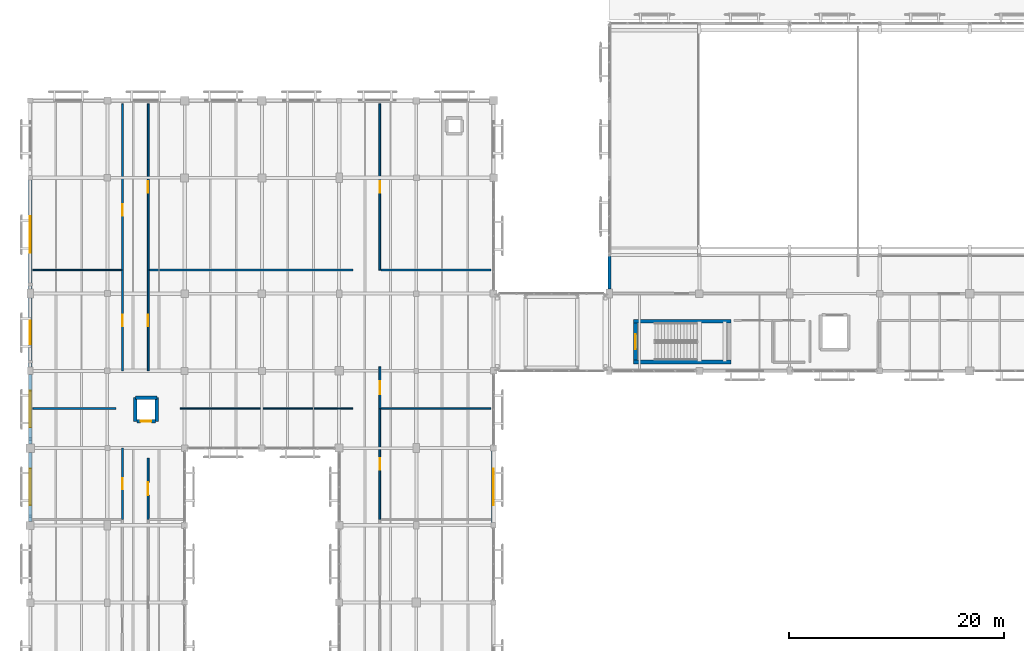
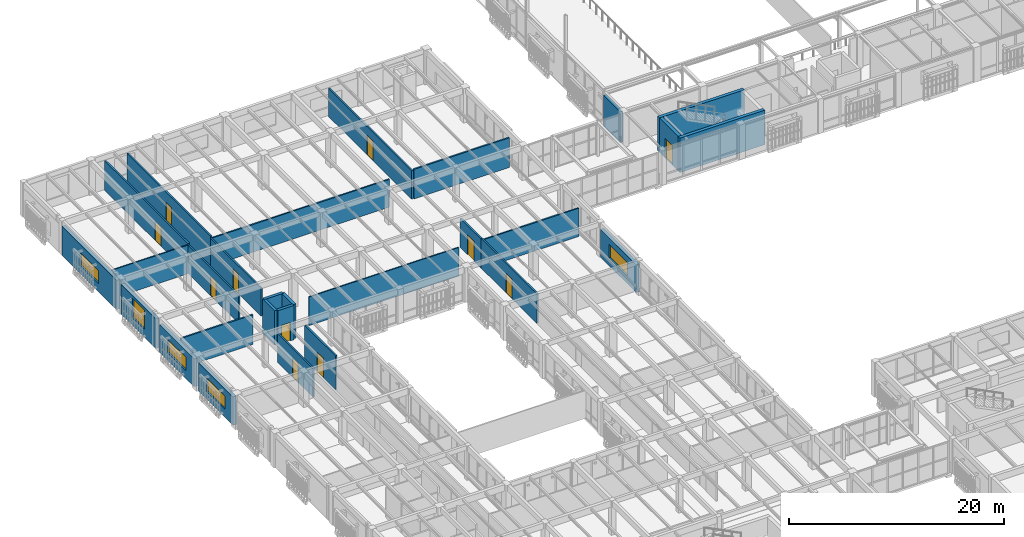
# One storey, part 133 of 170: 28 walls, 11 doors, 5 windows, 16 openings.
"""IFC4 building model written with IfcOpenShell, lengths in metres."""

from ifc_helpers import new_model, si_unit, direction, frame, frame_2d, origin, place, context, subcontext, project, spatial, rectangle, extrude, material, layer, layer_set, type_object, element, fill, save


model = new_model("IFC4")

# Units and contexts
model_context = context("Model", 3, precision=1e-05, world=origin(), true_north=direction((0.0, 1.0)))
body_context = subcontext(model_context, "Body", "Model", "MODEL_VIEW")
ifc_project = project(units=[si_unit("LENGTHUNIT", "METRE"), si_unit("AREAUNIT", "SQUARE_METRE"), si_unit("VOLUMEUNIT", "CUBIC_METRE"), si_unit("PLANEANGLEUNIT", "RADIAN"), si_unit("MASSUNIT", "GRAM", prefix="KILO")], contexts=[model_context])

# Site, building, storey
site_placement = place(None, origin())
site = spatial("IfcSite", under=ifc_project, at=site_placement, CompositionType="ELEMENT")
building_placement = place(site_placement, origin())
building = spatial("IfcBuilding", under=site, at=building_placement, Name="Mazaris Harbour Polytechnic", CompositionType="ELEMENT")
storey_placement = place(building_placement, frame((0.0, 0.0, 5.39990234375)))
storey = spatial("IfcBuildingStorey", under=building, at=storey_placement, Name="L01", CompositionType="ELEMENT", Elevation=5.39990234375)

# Walls
ifc_material_1 = material(Name="Gypsum Board and Mineral Wool")
ifc_layer_1 = layer(ifc_material_1, 0.1201171875, Name="Gypsum Board and Mineral Wool")
ifc_layer_set_1 = layer_set([ifc_layer_1], Name="Gypsum Board and Mineral Wool")
wall_type_1 = type_object("IfcWallType", Name="Acoustic Stud Partition 120", PredefinedType="PARTITIONING", material=ifc_layer_set_1)
wall_1_placement = place(storey_placement, frame((0.25, 85.0, 0.0), z_axis=(0.0, 0.0, 1.0), x_axis=(1.0, 0.0, 0.0)))
element("IfcWall", 1, at=wall_1_placement, inside=storey, type_object=wall_type_1, Name="V4 L01 Partition 342", PredefinedType="PARTITIONING", context=body_context, shape_type="SweptSolid", body=[
    extrude(rectangle(XDim=8.22998046875, YDim=0.1201171875, at=frame_2d((4.114990234375, 0.0))), origin(), (0.0, 0.0, 1.0), 3.25),
])
wall_2_placement = place(storey_placement, frame((14.0048828125, 72.0830078125, 0.0), z_axis=(0.0, 0.0, 1.0), x_axis=(1.0, 0.0, 0.0)))
element("IfcWall", 2, at=wall_2_placement, inside=storey, type_object=wall_type_1, Name="V4 L01 Partition 354", PredefinedType="PARTITIONING", context=body_context, shape_type="SweptSolid", body=[
    extrude(rectangle(XDim=16.0751953125, YDim=0.1201171875, at=frame_2d((8.03759765625, 0.0))), origin(), (0.0, 0.0, 1.0), 3.25),
])
ifc_material_2 = material(Name="Double Gypsum and Mineral Wool")
ifc_layer_2 = layer(ifc_material_2, 0.14990234375, Name="Double Gypsum and Mineral Wool")
ifc_layer_set_2 = layer_set([ifc_layer_2], Name="Double Gypsum and Mineral Wool")
wall_type_2 = type_object("IfcWallType", Name="Classroom Acoustic Partition 150", PredefinedType="PARTITIONING", material=ifc_layer_set_2)
wall_3_placement = place(storey_placement, frame((11.1201171875, 85.0, 0.0), z_axis=(0.0, 0.0, 1.0), x_axis=(1.0, 0.0, 0.0)))
element("IfcWall", 3, at=wall_3_placement, inside=storey, type_object=wall_type_2, Name="V4 L01 Partition 355", PredefinedType="PARTITIONING", context=body_context, shape_type="SweptSolid", body=[
    extrude(rectangle(XDim=18.9599609375, YDim=0.14990234375, at=frame_2d((9.47998046875, 0.0))), origin(), (0.0, 0.0, 1.0), 3.150146484375),
])
wall_4_placement = place(storey_placement, frame((32.719970703125, 72.0830078125, 0.0), z_axis=(0.0, 0.0, 1.0), x_axis=(1.0, 0.0, 0.0)))
element("IfcWall", 4, at=wall_4_placement, inside=storey, type_object=wall_type_2, Name="V4 L01 Partition 365", PredefinedType="PARTITIONING", context=body_context, shape_type="SweptSolid", body=[
    extrude(rectangle(XDim=10.22998046875, YDim=0.14990234375, at=frame_2d((5.114990234375, 0.0))), origin(), (0.0, 0.0, 1.0), 3.210205078125),
])

# Wall, opening, door
ifc_material_3 = material(Name="Terracotta Block and Plaster", Category="masonry")
ifc_layer_3 = layer(ifc_material_3, 0.179931640625, Name="Terracotta Block and Plaster")
ifc_layer_set_3 = layer_set([ifc_layer_3], Name="Terracotta Block and Plaster")
wall_type_3 = type_object("IfcWallType", Name="Corridor Fire Partition 180", PredefinedType="PARTITIONING", material=ifc_layer_set_3)
wall_5_placement = place(storey_placement, frame((11.0, 61.7548828125, 0.0), z_axis=(0.0, 0.0, 1.0), x_axis=(0.0, 1.0, 0.0)))
wall_5 = element("IfcWall", 5, at=wall_5_placement, inside=storey, type_object=wall_type_3, Name="V4 L01 Partition 352", PredefinedType="PARTITIONING", context=body_context, shape_type="SweptSolid", body=[
    extrude(rectangle(XDim=5.705078125, YDim=0.179931640625, at=frame_2d((2.8525390625, 0.0))), origin(), (0.0, 0.0, 1.0), 3.89013671875),
])
opening_1_placement = place(wall_5_placement, frame((2.242431640625, 0.0, 0.0)))
opening_1 = element("IfcOpeningElement", 6, at=opening_1_placement, cuts=wall_5, Name="Opening ID-10L", PredefinedType="OPENING", context=body_context, shape_type="SweptSolid", body=[
    extrude(rectangle(XDim=1.219970703125, YDim=2.25, at=frame_2d((0.60986328125, 1.125))), frame((0.0, 0.099853515625, 0.0), z_axis=(0.0, -1.0, 0.0), x_axis=(1.0, 0.0, 0.0)), (0.0, 0.0, 1.0), 0.199951171875),
])
ifc_material_4 = material(Name="Glulam Timber and Glass", Category="wood")
door_type_1 = type_object("IfcDoorType", Name="Library Commons Door LH 1220x2250", OperationType="SINGLE_SWING_LEFT", PredefinedType="DOOR", material=ifc_material_4)
door_1_placement = place(opening_1_placement, origin())
door_1 = element("IfcDoor", 7, at=door_1_placement, inside=storey, type_object=door_type_1, Name="ID-0164", OperationType="SINGLE_SWING_LEFT", OverallHeight=2.25, OverallWidth=1.219970703125, PredefinedType="DOOR", context=body_context, shape_type="SweptSolid", body=[
    extrude(rectangle(XDim=1.219970703125, YDim=2.25, at=frame_2d((0.60986328125, 1.125))), frame((0.0, 0.02490234375, 0.0), z_axis=(0.0, -1.0, 0.0), x_axis=(1.0, 0.0, 0.0)), (0.0, 0.0, 1.0), 0.050048828125),
])
fill(opening_1, door_1)

wall_6_placement = place(storey_placement, frame((32.60009765625, 72.087890625, 0.0), z_axis=(0.0, 0.0, 1.0), x_axis=(0.0, 1.0, 0.0)))
wall_6 = element("IfcWall", 8, at=wall_6_placement, inside=storey, type_object=wall_type_3, Name="V4 L01 Partition 366", PredefinedType="PARTITIONING", context=body_context, shape_type="SweptSolid", body=[
    extrude(rectangle(XDim=3.89208984375, YDim=0.179931640625, at=frame_2d((1.946044921875, 0.0))), origin(), (0.0, 0.0, 1.0), 3.31005859375),
])
opening_2_placement = place(wall_6_placement, frame((1.3359375, 0.0, 0.0)))
opening_2 = element("IfcOpeningElement", 9, at=opening_2_placement, cuts=wall_6, Name="Opening ID-10L", PredefinedType="OPENING", context=body_context, shape_type="SweptSolid", body=[
    extrude(rectangle(XDim=1.219970703125, YDim=2.25, at=frame_2d((0.60986328125, 1.125))), frame((0.0, 0.099853515625, 0.0), z_axis=(0.0, -1.0, 0.0), x_axis=(1.0, 0.0, 0.0)), (0.0, 0.0, 1.0), 0.199951171875),
])
door_2_placement = place(opening_2_placement, origin())
door_2 = element("IfcDoor", 10, at=door_2_placement, inside=storey, type_object=door_type_1, Name="ID-0172", OperationType="SINGLE_SWING_LEFT", OverallHeight=2.25, OverallWidth=1.219970703125, PredefinedType="DOOR", context=body_context, shape_type="SweptSolid", body=[
    extrude(rectangle(XDim=1.219970703125, YDim=2.25, at=frame_2d((0.60986328125, 1.125))), frame((0.0, 0.02490234375, 0.0), z_axis=(0.0, -1.0, 0.0), x_axis=(1.0, 0.0, 0.0)), (0.0, 0.0, 1.0), 0.050048828125),
])
fill(opening_2, door_2)

ifc_material_5 = material(Name="Fireboard and Mineral Wool")
ifc_layer_4 = layer(ifc_material_5, 0.1650390625, Name="Fireboard and Mineral Wool")
ifc_layer_set_4 = layer_set([ifc_layer_4], Name="Fireboard and Mineral Wool")
wall_type_4 = type_object("IfcWallType", Name="Laboratory Rated Partition 165", PredefinedType="PARTITIONING", material=ifc_layer_set_4)
wall_7_placement = place(storey_placement, frame((8.60009765625, 61.7548828125, 0.0), z_axis=(0.0, 0.0, 1.0), x_axis=(0.0, 1.0, 0.0)))
wall_7 = element("IfcWall", 11, at=wall_7_placement, inside=storey, type_object=wall_type_4, Name="V4 L01 Partition 339", PredefinedType="PARTITIONING", context=body_context, shape_type="SweptSolid", body=[
    extrude(rectangle(XDim=6.64013671875, YDim=0.1650390625, at=frame_2d((3.320068359375, 0.0))), origin(), (0.0, 0.0, 1.0), 3.25),
])
opening_3_placement = place(wall_7_placement, frame((2.7900390625, 0.0, 0.0)))
opening_3 = element("IfcOpeningElement", 12, at=opening_3_placement, cuts=wall_7, Name="Opening ID-02R", PredefinedType="OPENING", context=body_context, shape_type="SweptSolid", body=[
    extrude(rectangle(XDim=1.06005859375, YDim=2.199951171875, at=frame_2d((0.530029296875, 1.10009765625))), frame((0.0, 0.092529296875, 0.0), z_axis=(0.0, -1.0, 0.0), x_axis=(1.0, 0.0, 0.0)), (0.0, 0.0, 1.0), 0.18505859375),
])
ifc_material_6 = material(Name="Solid Timber and Vision Panel", Category="wood")
door_type_2 = type_object("IfcDoorType", Name="Laboratory Fire Door RH 1060x2200", OperationType="SINGLE_SWING_RIGHT", PredefinedType="DOOR", material=ifc_material_6)
door_3_placement = place(opening_3_placement, origin())
door_3 = element("IfcDoor", 13, at=door_3_placement, inside=storey, type_object=door_type_2, Name="ID-0157", OperationType="SINGLE_SWING_RIGHT", OverallHeight=2.199951171875, OverallWidth=1.06005859375, PredefinedType="DOOR", context=body_context, shape_type="SweptSolid", body=[
    extrude(rectangle(XDim=1.06005859375, YDim=2.199951171875, at=frame_2d((0.530029296875, 1.10009765625))), frame((0.0, 0.02490234375, 0.0), z_axis=(0.0, -1.0, 0.0), x_axis=(1.0, 0.0, 0.0)), (0.0, 0.0, 1.0), 0.050048828125),
])
fill(opening_3, door_3)

# Wall
wall_8_placement = place(storey_placement, frame((0.25, 72.0830078125, 0.0), z_axis=(0.0, 0.0, 1.0), x_axis=(1.0, 0.0, 0.0)))
element("IfcWall", 14, at=wall_8_placement, inside=storey, type_object=wall_type_4, Name="V4 L01 Partition 340", PredefinedType="PARTITIONING", context=body_context, shape_type="SweptSolid", body=[
    extrude(rectangle(XDim=7.7451171875, YDim=0.1650390625, at=frame_2d((3.87255859375, 0.0))), origin(), (0.0, 0.0, 1.0), 3.3701171875),
])

# Wall, opening, door
wall_9_placement = place(storey_placement, frame((8.60009765625, 75.60498046875, 0.0), z_axis=(0.0, 0.0, 1.0), x_axis=(0.0, 1.0, 0.0)))
wall_9 = element("IfcWall", 15, at=wall_9_placement, inside=storey, type_object=wall_type_4, Name="V4 L01 Partition 341", PredefinedType="PARTITIONING", context=body_context, shape_type="SweptSolid", body=[
    extrude(rectangle(XDim=9.39501953125, YDim=0.1650390625, at=frame_2d((4.697509765625, 0.0))), origin(), (0.0, 0.0, 1.0), 3.150146484375),
])
opening_4_placement = place(wall_9_placement, frame((4.172607421875, 0.0, 0.0)))
opening_4 = element("IfcOpeningElement", 16, at=opening_4_placement, cuts=wall_9, Name="Opening ID-02L", PredefinedType="OPENING", context=body_context, shape_type="SweptSolid", body=[
    extrude(rectangle(XDim=1.050048828125, YDim=2.199951171875, at=frame_2d((0.52490234375, 1.10009765625))), frame((0.0, 0.092529296875, 0.0), z_axis=(0.0, -1.0, 0.0), x_axis=(1.0, 0.0, 0.0)), (0.0, 0.0, 1.0), 0.18505859375),
])
ifc_material_7 = material(Name="Solid Timber and Vision Panel", Category="wood")
door_type_3 = type_object("IfcDoorType", Name="Laboratory Fire Door LH 1050x2200", OperationType="SINGLE_SWING_LEFT", PredefinedType="DOOR", material=ifc_material_7)
door_4_placement = place(opening_4_placement, origin())
door_4 = element("IfcDoor", 17, at=door_4_placement, inside=storey, type_object=door_type_3, Name="ID-0158", OperationType="SINGLE_SWING_LEFT", OverallHeight=2.199951171875, OverallWidth=1.050048828125, PredefinedType="DOOR", context=body_context, shape_type="SweptSolid", body=[
    extrude(rectangle(XDim=1.050048828125, YDim=2.199951171875, at=frame_2d((0.52490234375, 1.10009765625))), frame((0.0, 0.02490234375, 0.0), z_axis=(0.0, -1.0, 0.0), x_axis=(1.0, 0.0, 0.0)), (0.0, 0.0, 1.0), 0.050048828125),
])
fill(opening_4, door_4)

wall_10_placement = place(storey_placement, frame((8.60009765625, 85.0048828125, 0.0), z_axis=(0.0, 0.0, 1.0), x_axis=(0.0, 1.0, 0.0)))
wall_10 = element("IfcWall", 18, at=wall_10_placement, inside=storey, type_object=wall_type_4, Name="V4 L01 Partition 343", PredefinedType="PARTITIONING", context=body_context, shape_type="SweptSolid", body=[
    extrude(rectangle(XDim=15.4951171875, YDim=0.1650390625, at=frame_2d((7.74755859375, 0.0))), origin(), (0.0, 0.0, 1.0), 3.3701171875),
])
opening_5_placement = place(wall_10_placement, frame((5.05224609375, 0.0, 0.0)))
opening_5 = element("IfcOpeningElement", 19, at=opening_5_placement, cuts=wall_10, Name="Opening ID-02R", PredefinedType="OPENING", context=body_context, shape_type="SweptSolid", body=[
    extrude(rectangle(XDim=1.06005859375, YDim=2.199951171875, at=frame_2d((0.530029296875, 1.10009765625))), frame((0.0, 0.092529296875, 0.0), z_axis=(0.0, -1.0, 0.0), x_axis=(1.0, 0.0, 0.0)), (0.0, 0.0, 1.0), 0.18505859375),
])
door_5_placement = place(opening_5_placement, origin())
door_5 = element("IfcDoor", 20, at=door_5_placement, inside=storey, type_object=door_type_2, Name="ID-0159", OperationType="SINGLE_SWING_RIGHT", OverallHeight=2.199951171875, OverallWidth=1.06005859375, PredefinedType="DOOR", context=body_context, shape_type="SweptSolid", body=[
    extrude(rectangle(XDim=1.06005859375, YDim=2.199951171875, at=frame_2d((0.530029296875, 1.10009765625))), frame((0.0, 0.02490234375, 0.0), z_axis=(0.0, -1.0, 0.0), x_axis=(1.0, 0.0, 0.0)), (0.0, 0.0, 1.0), 0.050048828125),
])
fill(opening_5, door_5)

wall_11_placement = place(storey_placement, frame((11.0, 75.60498046875, 0.0), z_axis=(0.0, 0.0, 1.0), x_axis=(0.0, 1.0, 0.0)))
wall_11 = element("IfcWall", 21, at=wall_11_placement, inside=storey, type_object=wall_type_4, Name="V4 L01 Partition 353", PredefinedType="PARTITIONING", context=body_context, shape_type="SweptSolid", body=[
    extrude(rectangle(XDim=9.39501953125, YDim=0.1650390625, at=frame_2d((4.697509765625, 0.0))), origin(), (0.0, 0.0, 1.0), 3.150146484375),
])
opening_6_placement = place(wall_11_placement, frame((4.16748046875, 0.0, 0.0)))
opening_6 = element("IfcOpeningElement", 22, at=opening_6_placement, cuts=wall_11, Name="Opening ID-02R", PredefinedType="OPENING", context=body_context, shape_type="SweptSolid", body=[
    extrude(rectangle(XDim=1.06005859375, YDim=2.199951171875, at=frame_2d((0.530029296875, 1.10009765625))), frame((0.0, 0.092529296875, 0.0), z_axis=(0.0, -1.0, 0.0), x_axis=(1.0, 0.0, 0.0)), (0.0, 0.0, 1.0), 0.18505859375),
])
door_6_placement = place(opening_6_placement, origin())
door_6 = element("IfcDoor", 23, at=door_6_placement, inside=storey, type_object=door_type_2, Name="ID-0165", OperationType="SINGLE_SWING_RIGHT", OverallHeight=2.199951171875, OverallWidth=1.06005859375, PredefinedType="DOOR", context=body_context, shape_type="SweptSolid", body=[
    extrude(rectangle(XDim=1.06005859375, YDim=2.199951171875, at=frame_2d((0.530029296875, 1.10009765625))), frame((0.0, 0.02490234375, 0.0), z_axis=(0.0, -1.0, 0.0), x_axis=(1.0, 0.0, 0.0)), (0.0, 0.0, 1.0), 0.050048828125),
])
fill(opening_6, door_6)

wall_12_placement = place(storey_placement, frame((11.0, 85.0048828125, 0.0), z_axis=(0.0, 0.0, 1.0), x_axis=(0.0, 1.0, 0.0)))
wall_12 = element("IfcWall", 24, at=wall_12_placement, inside=storey, type_object=wall_type_4, Name="V4 L01 Partition 356", PredefinedType="PARTITIONING", context=body_context, shape_type="SweptSolid", body=[
    extrude(rectangle(XDim=15.4951171875, YDim=0.1650390625, at=frame_2d((7.74755859375, 0.0))), origin(), (0.0, 0.0, 1.0), 3.3701171875),
])
opening_7_placement = place(wall_12_placement, frame((7.222412109375, 0.0, 0.0)))
opening_7 = element("IfcOpeningElement", 25, at=opening_7_placement, cuts=wall_12, Name="Opening ID-02L", PredefinedType="OPENING", context=body_context, shape_type="SweptSolid", body=[
    extrude(rectangle(XDim=1.050048828125, YDim=2.199951171875, at=frame_2d((0.52490234375, 1.10009765625))), frame((0.0, 0.092529296875, 0.0), z_axis=(0.0, -1.0, 0.0), x_axis=(1.0, 0.0, 0.0)), (0.0, 0.0, 1.0), 0.18505859375),
])
door_7_placement = place(opening_7_placement, origin())
door_7 = element("IfcDoor", 26, at=door_7_placement, inside=storey, type_object=door_type_3, Name="ID-0166", OperationType="SINGLE_SWING_LEFT", OverallHeight=2.199951171875, OverallWidth=1.050048828125, PredefinedType="DOOR", context=body_context, shape_type="SweptSolid", body=[
    extrude(rectangle(XDim=1.050048828125, YDim=2.199951171875, at=frame_2d((0.52490234375, 1.10009765625))), frame((0.0, 0.02490234375, 0.0), z_axis=(0.0, -1.0, 0.0), x_axis=(1.0, 0.0, 0.0)), (0.0, 0.0, 1.0), 0.050048828125),
])
fill(opening_7, door_7)

wall_13_placement = place(storey_placement, frame((32.60009765625, 61.7548828125, 0.0), z_axis=(0.0, 0.0, 1.0), x_axis=(0.0, 1.0, 0.0)))
wall_13 = element("IfcWall", 27, at=wall_13_placement, inside=storey, type_object=wall_type_4, Name="V4 L01 Partition 364", PredefinedType="PARTITIONING", context=body_context, shape_type="SweptSolid", body=[
    extrude(rectangle(XDim=10.328125, YDim=0.1650390625, at=frame_2d((5.1640625, 0.0))), origin(), (0.0, 0.0, 1.0), 3.3701171875),
])
opening_8_placement = place(wall_13_placement, frame((4.634033203125, 0.0, 0.0)))
opening_8 = element("IfcOpeningElement", 28, at=opening_8_placement, cuts=wall_13, Name="Opening ID-02R", PredefinedType="OPENING", context=body_context, shape_type="SweptSolid", body=[
    extrude(rectangle(XDim=1.06005859375, YDim=2.199951171875, at=frame_2d((0.530029296875, 1.10009765625))), frame((0.0, 0.092529296875, 0.0), z_axis=(0.0, -1.0, 0.0), x_axis=(1.0, 0.0, 0.0)), (0.0, 0.0, 1.0), 0.18505859375),
])
door_8_placement = place(opening_8_placement, origin())
door_8 = element("IfcDoor", 29, at=door_8_placement, inside=storey, type_object=door_type_2, Name="ID-0171", OperationType="SINGLE_SWING_RIGHT", OverallHeight=2.199951171875, OverallWidth=1.06005859375, PredefinedType="DOOR", context=body_context, shape_type="SweptSolid", body=[
    extrude(rectangle(XDim=1.06005859375, YDim=2.199951171875, at=frame_2d((0.530029296875, 1.10009765625))), frame((0.0, 0.02490234375, 0.0), z_axis=(0.0, -1.0, 0.0), x_axis=(1.0, 0.0, 0.0)), (0.0, 0.0, 1.0), 0.050048828125),
])
fill(opening_8, door_8)

wall_14_placement = place(storey_placement, frame((32.60009765625, 85.0, 0.0), z_axis=(0.0, 0.0, 1.0), x_axis=(0.0, 1.0, 0.0)))
wall_14 = element("IfcWall", 30, at=wall_14_placement, inside=storey, type_object=wall_type_4, Name="V4 L01 Partition 367", PredefinedType="PARTITIONING", context=body_context, shape_type="SweptSolid", body=[
    extrude(rectangle(XDim=15.5, YDim=0.1650390625, at=frame_2d((7.75, 0.0))), origin(), (0.0, 0.0, 1.0), 3.210205078125),
])
opening_9_placement = place(wall_14_placement, frame((7.219970703125, 0.0, 0.0)))
opening_9 = element("IfcOpeningElement", 31, at=opening_9_placement, cuts=wall_14, Name="Opening ID-02R", PredefinedType="OPENING", context=body_context, shape_type="SweptSolid", body=[
    extrude(rectangle(XDim=1.06005859375, YDim=2.199951171875, at=frame_2d((0.530029296875, 1.10009765625))), frame((0.0, 0.092529296875, 0.0), z_axis=(0.0, -1.0, 0.0), x_axis=(1.0, 0.0, 0.0)), (0.0, 0.0, 1.0), 0.18505859375),
])
door_9_placement = place(opening_9_placement, origin())
door_9 = element("IfcDoor", 32, at=door_9_placement, inside=storey, type_object=door_type_2, Name="ID-0173", OperationType="SINGLE_SWING_RIGHT", OverallHeight=2.199951171875, OverallWidth=1.06005859375, PredefinedType="DOOR", context=body_context, shape_type="SweptSolid", body=[
    extrude(rectangle(XDim=1.06005859375, YDim=2.199951171875, at=frame_2d((0.530029296875, 1.10009765625))), frame((0.0, 0.02490234375, 0.0), z_axis=(0.0, -1.0, 0.0), x_axis=(1.0, 0.0, 0.0)), (0.0, 0.0, 1.0), 0.050048828125),
])
fill(opening_9, door_9)

# Wall
wall_15_placement = place(storey_placement, frame((32.719970703125, 85.0, 0.0), z_axis=(0.0, 0.0, 1.0), x_axis=(1.0, 0.0, 0.0)))
element("IfcWall", 33, at=wall_15_placement, inside=storey, type_object=wall_type_4, Name="V4 L01 Partition 368", PredefinedType="PARTITIONING", context=body_context, shape_type="SweptSolid", body=[
    extrude(rectangle(XDim=10.22998046875, YDim=0.1650390625, at=frame_2d((5.114990234375, 0.0))), origin(), (0.0, 0.0, 1.0), 3.3701171875),
])

# Wall, opening, window
ifc_material_8 = material(Name="Algerian Buff Limestone and Concrete C30/37", Category="masonry")
ifc_layer_5 = layer(ifc_material_8, 0.360107421875, Name="Algerian Buff Limestone and Concrete C30/37")
ifc_layer_set_5 = layer_set([ifc_layer_5], Name="Algerian Buff Limestone and Concrete C30/37")
wall_type_5 = type_object("IfcWallType", Name="Limestone Ashlar Exterior Wall 360", PredefinedType="STANDARD", material=ifc_layer_set_5)
wall_16_placement = place(storey_placement, frame((0.0, 61.56689453125, 0.0), z_axis=(0.0, 0.0, 1.0), x_axis=(0.0, 1.0, 0.0)))
wall_16 = element("IfcWall", 34, at=wall_16_placement, inside=storey, type_object=wall_type_5, Name="V4 L01 Exterior Wall 177", PredefinedType="STANDARD", context=body_context, shape_type="SweptSolid", body=[
    extrude(rectangle(XDim=6.441162109375, YDim=0.360107421875, at=frame_2d((3.220703125, 0.0))), origin(), (0.0, 0.0, 1.0), 3.210205078125),
])
opening_10_placement = place(wall_16_placement, frame((1.5205078125, 0.0, 0.89990234375)))
opening_10 = element("IfcOpeningElement", 35, at=opening_10_placement, cuts=wall_16, Name="Opening WN-16", PredefinedType="OPENING", context=body_context, shape_type="SweptSolid", body=[
    extrude(rectangle(XDim=3.39990234375, YDim=1.5, at=frame_2d((1.699951171875, 0.75))), frame((0.0, 0.18994140625, 0.0), z_axis=(0.0, -1.0, 0.0), x_axis=(1.0, 0.0, 0.0)), (0.0, 0.0, 1.0), 0.380126953125),
])
ifc_material_9 = material(Name="Thermally Broken Bronze Aluminium and Low-E Glass", Category="aluminium")
window_type_1 = type_object("IfcWindowType", Name="Workshop Clerestory Ribbon 3400x1500", PartitioningType="DOUBLE_PANEL_VERTICAL", PredefinedType="WINDOW", material=ifc_material_9)
window_1_placement = place(opening_10_placement, origin())
window_1 = element("IfcWindow", 36, at=window_1_placement, inside=storey, type_object=window_type_1, Name="WN-0179", OverallHeight=1.5, OverallWidth=3.39990234375, PartitioningType="DOUBLE_PANEL_VERTICAL", PredefinedType="WINDOW", context=body_context, shape_type="SweptSolid", body=[
    extrude(rectangle(XDim=3.39990234375, YDim=1.5, at=frame_2d((1.699951171875, 0.75))), frame((0.0, 0.030029296875, 0.0), z_axis=(0.0, -1.0, 0.0), x_axis=(1.0, 0.0, 0.0)), (0.0, 0.0, 1.0), 0.06005859375),
])
fill(opening_10, window_1)

wall_17_placement = place(storey_placement, frame((0.0, 68.7919921875, 0.0), z_axis=(0.0, 0.0, 1.0), x_axis=(0.0, 1.0, 0.0)))
wall_17 = element("IfcWall", 37, at=wall_17_placement, inside=storey, type_object=wall_type_5, Name="V4 L01 Exterior Wall 178", PredefinedType="STANDARD", context=body_context, shape_type="SweptSolid", body=[
    extrude(rectangle(XDim=6.466064453125, YDim=0.360107421875, at=frame_2d((3.23291015625, 0.0))), origin(), (0.0, 0.0, 1.0), 3.150146484375),
])
opening_11_placement = place(wall_17_placement, frame((1.532958984375, 0.0, 0.89990234375)))
opening_11 = element("IfcOpeningElement", 38, at=opening_11_placement, cuts=wall_17, Name="Opening WN-16", PredefinedType="OPENING", context=body_context, shape_type="SweptSolid", body=[
    extrude(rectangle(XDim=3.39990234375, YDim=1.5, at=frame_2d((1.699951171875, 0.75))), frame((0.0, 0.18994140625, 0.0), z_axis=(0.0, -1.0, 0.0), x_axis=(1.0, 0.0, 0.0)), (0.0, 0.0, 1.0), 0.380126953125),
])
window_2_placement = place(opening_11_placement, origin())
window_2 = element("IfcWindow", 39, at=window_2_placement, inside=storey, type_object=window_type_1, Name="WN-0180", OverallHeight=1.5, OverallWidth=3.39990234375, PartitioningType="DOUBLE_PANEL_VERTICAL", PredefinedType="WINDOW", context=body_context, shape_type="SweptSolid", body=[
    extrude(rectangle(XDim=3.39990234375, YDim=1.5, at=frame_2d((1.699951171875, 0.75))), frame((0.0, 0.030029296875, 0.0), z_axis=(0.0, -1.0, 0.0), x_axis=(1.0, 0.0, 0.0)), (0.0, 0.0, 1.0), 0.06005859375),
])
fill(opening_11, window_2)

wall_18_placement = place(storey_placement, frame((0.0, 75.94189453125, 0.0), z_axis=(0.0, 0.0, 1.0), x_axis=(0.0, 1.0, 0.0)))
wall_18 = element("IfcWall", 40, at=wall_18_placement, inside=storey, type_object=wall_type_5, Name="V4 L01 Exterior Wall 179", PredefinedType="STANDARD", context=body_context, shape_type="SweptSolid", body=[
    extrude(rectangle(XDim=6.441162109375, YDim=0.360107421875, at=frame_2d((3.220703125, 0.0))), origin(), (0.0, 0.0, 1.0), 3.3701171875),
])
opening_12_placement = place(wall_18_placement, frame((2.12060546875, 0.0, 0.89990234375)))
opening_12 = element("IfcOpeningElement", 41, at=opening_12_placement, cuts=wall_18, Name="Opening WN-06", PredefinedType="OPENING", context=body_context, shape_type="SweptSolid", body=[
    extrude(rectangle(XDim=2.199951171875, YDim=2.199951171875, at=frame_2d((1.10009765625, 1.10009765625))), frame((0.0, 0.18994140625, 0.0), z_axis=(0.0, -1.0, 0.0), x_axis=(1.0, 0.0, 0.0)), (0.0, 0.0, 1.0), 0.380126953125),
])
ifc_material_10 = material(Name="Thermally Broken Bronze Aluminium and Low-E Glass", Category="aluminium")
window_type_2 = type_object("IfcWindowType", Name="Laboratory Paired Window 2200x2200", PartitioningType="DOUBLE_PANEL_VERTICAL", PredefinedType="WINDOW", material=ifc_material_10)
window_3_placement = place(opening_12_placement, origin())
window_3 = element("IfcWindow", 42, at=window_3_placement, inside=storey, type_object=window_type_2, Name="WN-0181", OverallHeight=2.199951171875, OverallWidth=2.199951171875, PartitioningType="DOUBLE_PANEL_VERTICAL", PredefinedType="WINDOW", context=body_context, shape_type="SweptSolid", body=[
    extrude(rectangle(XDim=2.199951171875, YDim=2.199951171875, at=frame_2d((1.10009765625, 1.10009765625))), frame((0.0, 0.030029296875, 0.0), z_axis=(0.0, -1.0, 0.0), x_axis=(1.0, 0.0, 0.0)), (0.0, 0.0, 1.0), 0.06005859375),
])
fill(opening_12, window_3)

wall_19_placement = place(storey_placement, frame((0.0, 83.217041015625, 0.0), z_axis=(0.0, 0.0, 1.0), x_axis=(0.0, 1.0, 0.0)))
wall_19 = element("IfcWall", 43, at=wall_19_placement, inside=storey, type_object=wall_type_5, Name="V4 L01 Exterior Wall 180", PredefinedType="STANDARD", context=body_context, shape_type="SweptSolid", body=[
    extrude(rectangle(XDim=10.166015625, YDim=0.360107421875, at=frame_2d((5.0830078125, 0.0))), origin(), (0.0, 0.0, 1.0), 3.31005859375),
])
opening_13_placement = place(wall_19_placement, frame((3.383056640625, 0.0, 0.89990234375)))
opening_13 = element("IfcOpeningElement", 44, at=opening_13_placement, cuts=wall_19, Name="Opening WN-16", PredefinedType="OPENING", context=body_context, shape_type="SweptSolid", body=[
    extrude(rectangle(XDim=3.39990234375, YDim=1.5, at=frame_2d((1.699951171875, 0.75))), frame((0.0, 0.18994140625, 0.0), z_axis=(0.0, -1.0, 0.0), x_axis=(1.0, 0.0, 0.0)), (0.0, 0.0, 1.0), 0.380126953125),
])
window_4_placement = place(opening_13_placement, origin())
window_4 = element("IfcWindow", 45, at=window_4_placement, inside=storey, type_object=window_type_1, Name="WN-0182", OverallHeight=1.5, OverallWidth=3.39990234375, PartitioningType="DOUBLE_PANEL_VERTICAL", PredefinedType="WINDOW", context=body_context, shape_type="SweptSolid", body=[
    extrude(rectangle(XDim=3.39990234375, YDim=1.5, at=frame_2d((1.699951171875, 0.75))), frame((0.0, 0.030029296875, 0.0), z_axis=(0.0, -1.0, 0.0), x_axis=(1.0, 0.0, 0.0)), (0.0, 0.0, 1.0), 0.06005859375),
])
fill(opening_13, window_4)

wall_20_placement = place(storey_placement, frame((43.199951171875, 68.133056640625, 0.0), z_axis=(0.0, 0.0, 1.0), x_axis=(0.0, -1.0, 0.0)))
wall_20 = element("IfcWall", 46, at=wall_20_placement, inside=storey, type_object=wall_type_5, Name="V4 L01 Exterior Wall 185", PredefinedType="STANDARD", context=body_context, shape_type="SweptSolid", body=[
    extrude(rectangle(XDim=6.691162109375, YDim=0.360107421875, at=frame_2d((3.345703125, 0.0))), origin(), (0.0, 0.0, 1.0), 3.150146484375),
])
opening_14_placement = place(wall_20_placement, frame((1.6455078125, 0.0, 0.89990234375)))
opening_14 = element("IfcOpeningElement", 47, at=opening_14_placement, cuts=wall_20, Name="Opening WN-16", PredefinedType="OPENING", context=body_context, shape_type="SweptSolid", body=[
    extrude(rectangle(XDim=3.39990234375, YDim=1.5, at=frame_2d((1.699951171875, 0.75))), frame((0.0, 0.18994140625, 0.0), z_axis=(0.0, -1.0, 0.0), x_axis=(1.0, 0.0, 0.0)), (0.0, 0.0, 1.0), 0.380126953125),
])
window_5_placement = place(opening_14_placement, origin())
window_5 = element("IfcWindow", 48, at=window_5_placement, inside=storey, type_object=window_type_1, Name="WN-0187", OverallHeight=1.5, OverallWidth=3.39990234375, PartitioningType="DOUBLE_PANEL_VERTICAL", PredefinedType="WINDOW", context=body_context, shape_type="SweptSolid", body=[
    extrude(rectangle(XDim=3.39990234375, YDim=1.5, at=frame_2d((1.699951171875, 0.75))), frame((0.0, 0.030029296875, 0.0), z_axis=(0.0, -1.0, 0.0), x_axis=(1.0, 0.0, 0.0)), (0.0, 0.0, 1.0), 0.06005859375),
])
fill(opening_14, window_5)

# Walls
ifc_material_11 = material(Name="Concrete C40/50", Category="concrete")
ifc_layer_6 = layer(ifc_material_11, 0.35009765625, Name="Concrete C40/50")
ifc_layer_set_6 = layer_set([ifc_layer_6], Name="Concrete C40/50")
wall_type_6 = type_object("IfcWallType", Name="RC Core Shear Wall 350", PredefinedType="SHEAR", material=ifc_layer_set_6)
for number, where, z_axis, x_axis, name in (
    (49, (56.25, 76.425048828125, 0.0), (0.0, 0.0, 1.0), (1.0, 0.0, 0.0), "Core ST01 L01 Shear Wall S"),
    (50, (65.35009765625, 80.22509765625, 0.0), (0.0, 0.0, 1.0), (-1.0, 0.0, 0.0), "Core ST01 L01 Shear Wall N"),
):
    element("IfcWall", number, at=place(storey_placement, frame(where, z_axis=z_axis, x_axis=x_axis)), inside=storey, type_object=wall_type_6, Name=name, PredefinedType="SHEAR", context=body_context, shape_type="SweptSolid", body=[
        extrude(rectangle(XDim=9.10009765625, YDim=0.35009765625, at=frame_2d((4.550048828125, 0.0))), origin(), (0.0, 0.0, 1.0), 3.920166015625),
    ])

# Wall, opening, door
wall_21_placement = place(storey_placement, frame((56.425048828125, 80.050048828125, 0.0), z_axis=(0.0, 0.0, 1.0), x_axis=(0.0, -1.0, 0.0)))
wall_21 = element("IfcWall", 51, at=wall_21_placement, inside=storey, type_object=wall_type_6, Name="Core ST01 L01 Entrance Shear Wall", PredefinedType="SHEAR", context=body_context, shape_type="SweptSolid", body=[
    extrude(rectangle(XDim=3.449951171875, YDim=0.35009765625, at=frame_2d((1.72509765625, 0.0))), origin(), (0.0, 0.0, 1.0), 3.920166015625),
])
opening_15_placement = place(wall_21_placement, frame((1.034912109375, 0.0, 0.0)))
opening_15 = element("IfcOpeningElement", 52, at=opening_15_placement, cuts=wall_21, Name="Opening SD-01", PredefinedType="OPENING", context=body_context, shape_type="SweptSolid", body=[
    extrude(rectangle(XDim=1.3798828125, YDim=2.199951171875, at=frame_2d((0.68994140625, 1.10009765625))), frame((0.0, 0.18505859375, 0.0), z_axis=(0.0, -1.0, 0.0), x_axis=(1.0, 0.0, 0.0)), (0.0, 0.0, 1.0), 0.3701171875),
])
ifc_material_12 = material(Name="Glulam Timber and Fire Glass", Category="wood")
door_type_4 = type_object("IfcDoorType", Name="Protected Stair Lobby Fire Door 1380x2200", OperationType="DOUBLE_DOOR_SINGLE_SWING", PredefinedType="DOOR", material=ifc_material_12)
door_10_placement = place(opening_15_placement, origin())
door_10 = element("IfcDoor", 53, at=door_10_placement, inside=storey, type_object=door_type_4, Name="SD-003", OperationType="DOUBLE_DOOR_SINGLE_SWING", OverallHeight=2.199951171875, OverallWidth=1.3798828125, PredefinedType="DOOR", context=body_context, shape_type="SweptSolid", body=[
    extrude(rectangle(XDim=1.3798828125, YDim=2.199951171875, at=frame_2d((0.68994140625, 1.10009765625))), frame((0.0, 0.02490234375, 0.0), z_axis=(0.0, -1.0, 0.0), x_axis=(1.0, 0.0, 0.0)), (0.0, 0.0, 1.0), 0.050048828125),
])
fill(opening_15, door_10)

# Walls
ifc_material_13 = material(Name="Concrete C40/50", Category="concrete")
ifc_layer_7 = layer(ifc_material_13, 0.300048828125, Name="Concrete C40/50")
ifc_layer_set_7 = layer_set([ifc_layer_7], Name="Concrete C40/50")
wall_type_7 = type_object("IfcWallType", Name="RC Lift Shaft Wall 300", PredefinedType="SHEAR", material=ifc_layer_set_7)
wall_22_placement = place(storey_placement, frame((11.800048828125, 73.10009765625, 0.0), z_axis=(0.0, 0.0, 1.0), x_axis=(-1.0, 0.0, 0.0)))
element("IfcWall", 54, at=wall_22_placement, inside=storey, type_object=wall_type_7, Name="Lift LP-01 L01 North Shaft Wall", PredefinedType="SHEAR", context=body_context, shape_type="SweptSolid", body=[
    extrude(rectangle(XDim=2.0, YDim=0.300048828125, at=frame_2d((1.0, 0.0))), origin(), (0.0, 0.0, 1.0), 3.89013671875),
])
for number, where, z_axis, x_axis, name in (
    (55, (9.800048828125, 73.10009765625, 0.0), (0.0, 0.0, 1.0), (0.0, -1.0, 0.0), "Lift LP-01 L01 West Shaft Wall"),
    (56, (11.800048828125, 70.89990234375, 0.0), (0.0, 0.0, 1.0), (0.0, 1.0, 0.0), "Lift LP-01 L01 East Shaft Wall"),
):
    element("IfcWall", number, at=place(storey_placement, frame(where, z_axis=z_axis, x_axis=x_axis)), inside=storey, type_object=wall_type_7, Name=name, PredefinedType="SHEAR", context=body_context, shape_type="SweptSolid", body=[
        extrude(rectangle(XDim=2.2001953125, YDim=0.300048828125, at=frame_2d((1.10009765625, 0.0))), origin(), (0.0, 0.0, 1.0), 3.89013671875),
    ])

# Wall, opening, door
wall_23_placement = place(storey_placement, frame((11.659912109375, 70.89990234375, 0.0), z_axis=(0.0, 0.0, 1.0), x_axis=(-1.0, 0.0, 0.0)))
wall_23 = element("IfcWall", 57, at=wall_23_placement, inside=storey, type_object=wall_type_7, Name="Lift LP-01 L01 Front Shaft Wall", PredefinedType="SHEAR", context=body_context, shape_type="SweptSolid", body=[
    extrude(rectangle(XDim=1.719970703125, YDim=0.300048828125, at=frame_2d((0.85986328125, 0.0))), origin(), (0.0, 0.0, 1.0), 3.89013671875),
])
opening_16_placement = place(wall_23_placement, frame((0.360107421875, 0.0, 0.0)))
opening_16 = element("IfcOpeningElement", 58, at=opening_16_placement, cuts=wall_23, Name="Opening LD-01", PredefinedType="OPENING", context=body_context, shape_type="SweptSolid", body=[
    extrude(rectangle(XDim=1.0, YDim=2.10009765625, at=frame_2d((0.5, 1.050048828125))), frame((0.0, 0.159912109375, 0.0), z_axis=(0.0, -1.0, 0.0), x_axis=(1.0, 0.0, 0.0)), (0.0, 0.0, 1.0), 0.320068359375),
])
ifc_material_14 = material(Name="Stainless Steel S355", Category="steel")
door_type_5 = type_object("IfcDoorType", Name="Sliding Passenger Lift Landing Door 1000x2100", OperationType="SLIDING_TO_LEFT", PredefinedType="DOOR", material=ifc_material_14)
door_11_placement = place(opening_16_placement, origin())
door_11 = element("IfcDoor", 59, at=door_11_placement, inside=storey, type_object=door_type_5, Name="LD-016", OperationType="SLIDING_TO_LEFT", OverallHeight=2.10009765625, OverallWidth=1.0, PredefinedType="DOOR", context=body_context, shape_type="SweptSolid", body=[
    extrude(rectangle(XDim=1.0, YDim=2.10009765625, at=frame_2d((0.5, 1.050048828125))), frame((0.0, 0.02490234375, 0.0), z_axis=(0.0, -1.0, 0.0), x_axis=(1.0, 0.0, 0.0)), (0.0, 0.0, 1.0), 0.050048828125),
])
fill(opening_16, door_11)

# Wall
ifc_material_15 = material(Name="Terracotta Masonry and Concrete C30/37", Category="masonry")
ifc_layer_8 = layer(ifc_material_15, 0.2900390625, Name="Terracotta Masonry and Concrete C30/37")
ifc_layer_set_8 = layer_set([ifc_layer_8], Name="Terracotta Masonry and Concrete C30/37")
wall_type_8 = type_object("IfcWallType", Name="Workshop Insulated Wall 290", PredefinedType="STANDARD", material=ifc_layer_set_8)
wall_24_placement = place(storey_placement, frame((54.0, 83.217041015625, 0.0), z_axis=(0.0, 0.0, 1.0), x_axis=(0.0, 1.0, 0.0)))
element("IfcWall", 60, at=wall_24_placement, inside=storey, type_object=wall_type_8, Name="V1 L01 Exterior Wall 21", PredefinedType="STANDARD", context=body_context, shape_type="SweptSolid", body=[
    extrude(rectangle(XDim=3.0859375, YDim=0.2900390625, at=frame_2d((1.54296875, 0.0))), origin(), (0.0, 0.0, 1.0), 3.530029296875),
])

save(model, "model.ifc")
